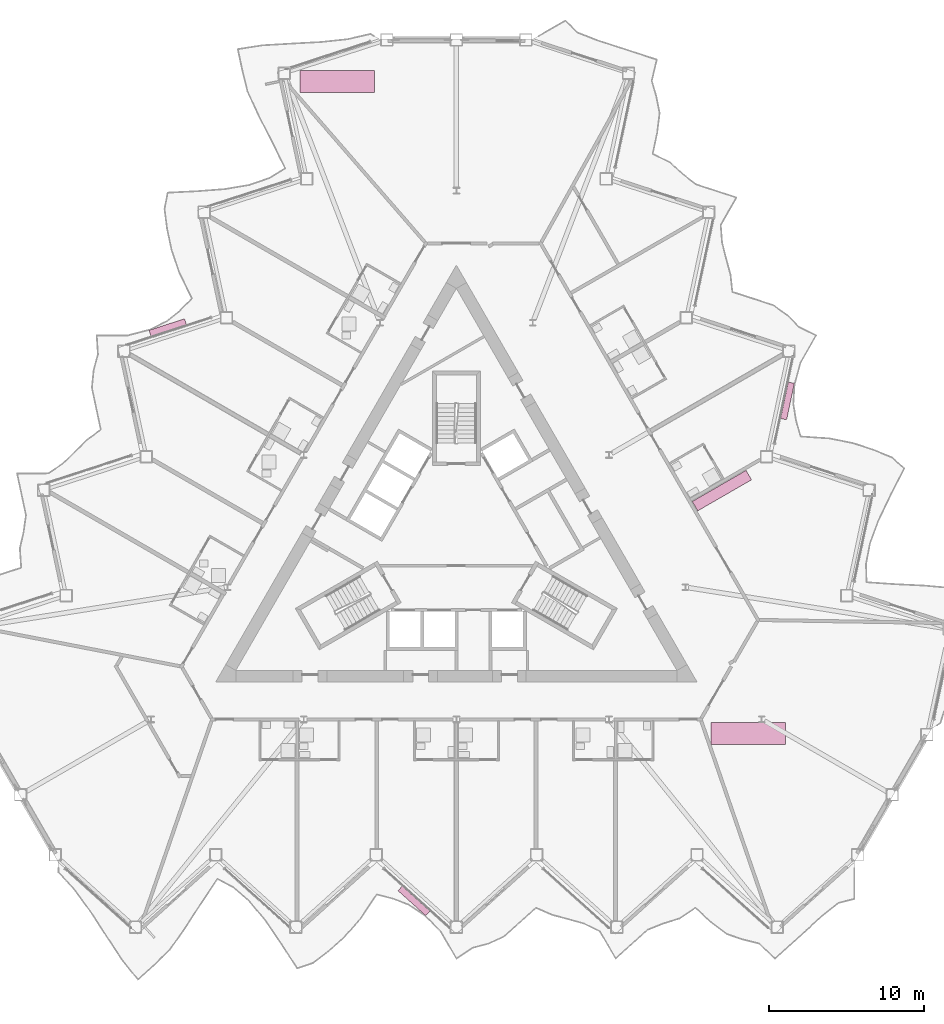
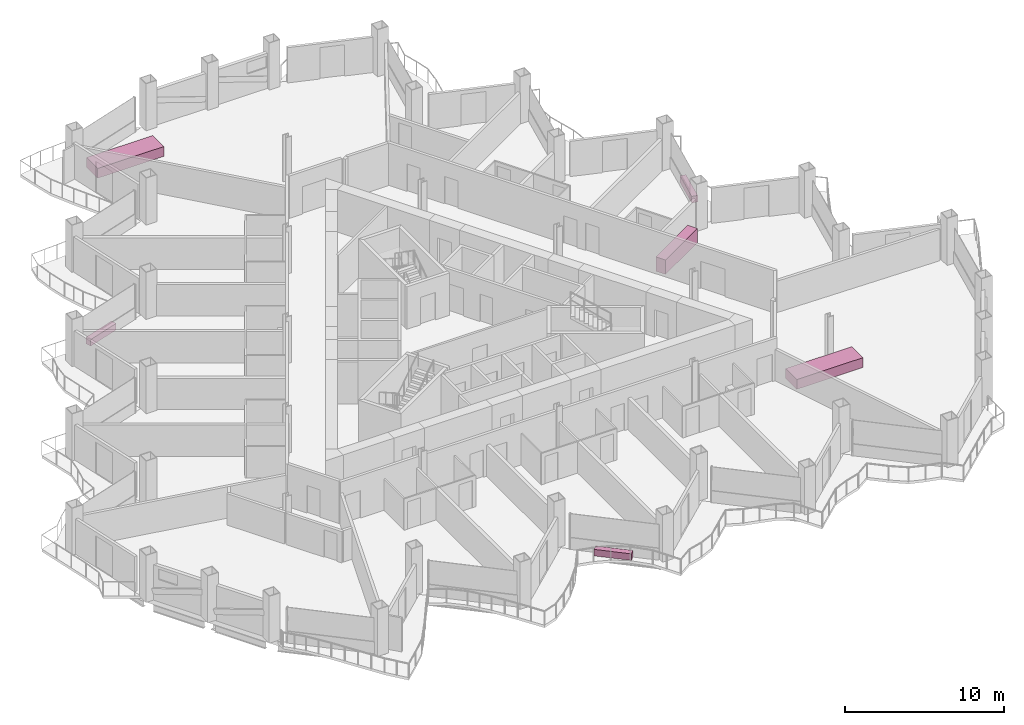
# One storey, part 23 of 23: 6 furniture elements.
"""IFC4 building model written with IfcOpenShell, lengths in metres."""

from ifc_helpers import new_model, si_unit, direction, frame, origin, origin_2d, place, context, subcontext, project, spatial, rectangle, extrude, material, type_object, element, save


model = new_model("IFC4")

# Units and contexts
model_context = context("Model", 3, precision=1e-05, world=origin(), true_north=direction((0.0, 1.0)))
body_context = subcontext(model_context, "Body", "Model", "MODEL_VIEW")
ifc_project = project(units=[si_unit("LENGTHUNIT", "METRE"), si_unit("AREAUNIT", "SQUARE_METRE"), si_unit("VOLUMEUNIT", "CUBIC_METRE"), si_unit("PLANEANGLEUNIT", "RADIAN"), si_unit("MASSUNIT", "GRAM", prefix="KILO")], contexts=[model_context])

# Site, building, storey
site_placement = place(None, origin())
site = spatial("IfcSite", under=ifc_project, at=site_placement, CompositionType="ELEMENT")
building_placement = place(site_placement, origin())
building = spatial("IfcBuilding", under=site, at=building_placement, Name="Cormorant Prow Tower", CompositionType="ELEMENT")
storey_placement = place(building_placement, frame((0.0, 0.0, 187.199951171875)))
storey = spatial("IfcBuildingStorey", under=building, at=storey_placement, Name="L40", CompositionType="ELEMENT", Elevation=187.199951171875)

# Furniture
ifc_material_1 = material(Name="Terracotta", Category="masonry")
furniture_type_1 = type_object("IfcFurnitureType", Name="Balcony planter 2400x400x500", AssemblyPlace="NOTDEFINED", PredefinedType="USERDEFINED", material=ifc_material_1)
for number, where, z_axis, x_axis, name in (
    (1, (-2.73095703125, -23.03564453125, 0.0), (0.0, 0.0, 1.0), (0.743144845716, -0.669130583881, 0.0), "Balcony planter S04"),
    (2, (21.31494140625, 9.15283203125, 0.0), (0.0, 0.0, 1.0), (0.207911763151, 0.978147585359, 0.0), "Balcony planter ENE04"),
    (3, (-18.583984375, 13.8828125, 0.0), (0.0, 0.0, 1.0), (-0.951056498556, -0.309017048969, 0.0), "Balcony planter WNW04"),
):
    element("IfcFurniture", number, at=place(storey_placement, frame(where, z_axis=z_axis, x_axis=x_axis)), inside=storey, type_object=furniture_type_1, Name=name, ObjectType="PLANTER", PredefinedType="USERDEFINED", context=body_context, shape_type="SweptSolid", body=[
        extrude(rectangle(XDim=2.39990234375, YDim=0.39990234375, at=origin_2d()), origin(), (0.0, 0.0, 1.0), 0.5),
    ])
ifc_material_2 = material(Name="Timber joinery", Category="wood")
furniture_type_2 = type_object("IfcFurnitureType", Name="Bar counter 4000x700", AssemblyPlace="NOTDEFINED", PredefinedType="NOTDEFINED", material=ifc_material_2)
furniture_placement = place(storey_placement, frame((17.09521484375, 3.378173828125, 0.0), z_axis=(0.0, 0.0, 1.0), x_axis=(0.866025403784, 0.5, 0.0)))
element("IfcFurniture", 4, at=furniture_placement, inside=storey, type_object=furniture_type_2, Name="Bar counter", PredefinedType="NOTDEFINED", context=body_context, shape_type="SweptSolid", body=[
    extrude(rectangle(XDim=4.0, YDim=0.699951171875, at=origin_2d()), origin(), (0.0, 0.0, 1.0), 1.10009765625),
])
ifc_material_3 = material(Name="Timber joinery", Category="wood")
furniture_type_3 = type_object("IfcFurnitureType", Name="Conference table 4800x1400", AssemblyPlace="NOTDEFINED", PredefinedType="TABLE", material=ifc_material_3)
for number, where, z_axis, x_axis, name in (
    (5, (18.784912109375, -12.25341796875, 0.0), (0.0, 0.0, 1.0), (1.0, 0.0, 0.0), "Conference table"),
    (6, (-7.684326171875, 29.7275390625, 0.0), (0.0, 0.0, 1.0), (1.0, 0.0, 0.0), "Conference table"),
):
    element("IfcFurniture", number, at=place(storey_placement, frame(where, z_axis=z_axis, x_axis=x_axis)), inside=storey, type_object=furniture_type_3, Name=name, PredefinedType="TABLE", context=body_context, shape_type="SweptSolid", body=[
        extrude(rectangle(XDim=4.800048828125, YDim=1.39990234375, at=origin_2d()), origin(), (0.0, 0.0, 1.0), 0.75),
    ])

save(model, "model.ifc")
